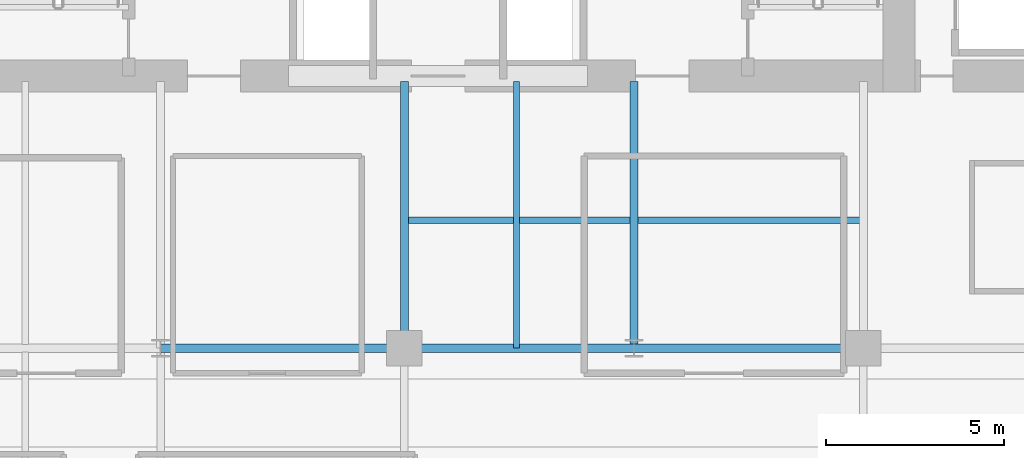
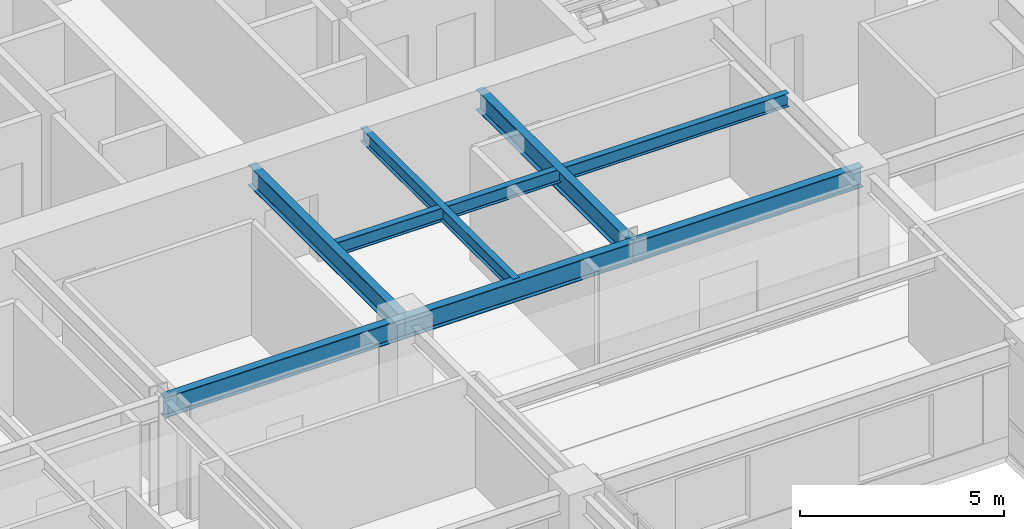
# One storey, part 13 of 37: 7 beams.
"""IFC4 building model written with IfcOpenShell, lengths in metres."""

from ifc_helpers import new_model, si_unit, direction, frame, origin, origin_2d, place, context, subcontext, project, spatial, i_section, extrude, source, transform, mapped, material, material_profile, profile_set, type_object, type_shapes, element, save


model = new_model("IFC4")

# Units and contexts
model_context = context("Model", 3, precision=1e-05, world=origin(), true_north=direction((0.0, 1.0)))
body_context = subcontext(model_context, "Body", "Model", "MODEL_VIEW")
ifc_project = project(units=[si_unit("LENGTHUNIT", "METRE"), si_unit("AREAUNIT", "SQUARE_METRE"), si_unit("VOLUMEUNIT", "CUBIC_METRE"), si_unit("PLANEANGLEUNIT", "RADIAN"), si_unit("MASSUNIT", "GRAM", prefix="KILO")], contexts=[model_context])

# Site, building, storey
site_placement = place(None, origin())
site = spatial("IfcSite", under=ifc_project, at=site_placement, CompositionType="ELEMENT")
building_placement = place(site_placement, origin())
building = spatial("IfcBuilding", under=site, at=building_placement, Name="Tolvann Quenvar Hotel", CompositionType="ELEMENT")
storey_placement = place(building_placement, frame((0.0, 0.0, 53.300048828125)))
storey = spatial("IfcBuildingStorey", under=building, at=storey_placement, Name="L12", CompositionType="ELEMENT", Elevation=53.300048828125)

# Beams
ifc_material = material(Name="Steel Grade 350", Category="steel")
ifc_material_profile_1 = material_profile(ifc_material, i_section(OverallWidth=0.22900390625, OverallDepth=0.612060546875, WebThickness=0.011962890625, FlangeThickness=0.01953125, FilletRadius=0.013916015625, at=origin_2d()), Name="610UB125")
ifc_profile_set_1 = profile_set([ifc_material_profile_1], Name="Steel Grade 350")
beam_type_1 = type_object("IfcBeamType", Name="BM_GIRD_610UB125", PredefinedType="BEAM", material=ifc_profile_set_1)
shared_shape_1 = source(origin(), body_context, "Body", "SweptSolid", [
    extrude(i_section(OverallWidth=0.22900390625, OverallDepth=0.612060546875, WebThickness=0.011962890625, FlangeThickness=0.01953125, FilletRadius=0.013916015625, at=origin_2d()), origin(), (0.0, 0.0, 1.0), 6.85009765625),
])
beam_1_placement = place(storey_placement, frame((15.199951171875, 24.39990234375, 3.06396484375), z_axis=(1.0, 0.0, 0.0), x_axis=(0.0, 1.0, 0.0)))
element("IfcBeam", 1, at=beam_1_placement, inside=storey, type_object=beam_type_1, Name="BM-L12-EW-5-D5-E5", PredefinedType="BEAM", context=body_context, shape_type="MappedRepresentation", body=[
    mapped(shared_shape_1, transform((0.0, 0.0, 0.0), x_axis=(1.0, 0.0, 0.0), y_axis=(0.0, 1.0, 0.0), z_axis=(0.0, 0.0, 1.0), scale=1.0)),
])
shared_shape_2 = source(origin(), body_context, "Body", "SweptSolid", [
    extrude(i_section(OverallWidth=0.22900390625, OverallDepth=0.612060546875, WebThickness=0.011962890625, FlangeThickness=0.01953125, FilletRadius=0.013916015625, at=origin_2d()), origin(), (0.0, 0.0, 1.0), 6.449951171875),
])
for number, where, z_axis, x_axis, name in (
    (2, (22.050048828125, 24.39990234375, 3.06396484375), (1.0, 0.0, 0.0), (0.0, 1.0, 0.0), "BM-L12-EW-5-E5-M5"),
    (3, (28.5, 24.39990234375, 3.06396484375), (1.0, 0.0, 0.0), (0.0, 1.0, 0.0), "BM-L12-EW-5-M5-F5"),
):
    element("IfcBeam", number, at=place(storey_placement, frame(where, z_axis=z_axis, x_axis=x_axis)), inside=storey, type_object=beam_type_1, Name=name, PredefinedType="BEAM", context=body_context, shape_type="MappedRepresentation", body=[
        mapped(shared_shape_2, transform((0.0, 0.0, 0.0), x_axis=(1.0, 0.0, 0.0), y_axis=(0.0, 1.0, 0.0), z_axis=(0.0, 0.0, 1.0), scale=1.0)),
    ])
shared_shape_3 = source(origin(), body_context, "Body", "SweptSolid", [
    extrude(i_section(OverallWidth=0.22900390625, OverallDepth=0.612060546875, WebThickness=0.011962890625, FlangeThickness=0.01953125, FilletRadius=0.013916015625, at=origin_2d()), origin(), (0.0, 0.0, 1.0), 7.5),
])
type_shapes(beam_type_1, [shared_shape_1, shared_shape_2, shared_shape_3])
for number, where, z_axis, x_axis, name in (
    (4, (22.050048828125, 24.39990234375, 3.06396484375), (0.0, 1.0, 0.0), (-1.0, 0.0, 0.0), "BM-L12-CORE-E5"),
    (5, (28.5, 24.39990234375, 3.06396484375), (0.0, 1.0, 0.0), (-1.0, 0.0, 0.0), "BM-L12-CORE-M5"),
):
    element("IfcBeam", number, at=place(storey_placement, frame(where, z_axis=z_axis, x_axis=x_axis)), inside=storey, type_object=beam_type_1, Name=name, PredefinedType="BEAM", context=body_context, shape_type="MappedRepresentation", body=[
        mapped(shared_shape_3, transform((0.0, 0.0, 0.0), x_axis=(1.0, 0.0, 0.0), y_axis=(0.0, 1.0, 0.0), z_axis=(0.0, 0.0, 1.0), scale=1.0)),
    ])
ifc_material_profile_2 = material_profile(ifc_material, i_section(OverallWidth=0.177978515625, OverallDepth=0.406005859375, WebThickness=0.0078125, FlangeThickness=0.0126953125, FilletRadius=0.011474609375, at=origin_2d()), Name="410UB60")
ifc_profile_set_2 = profile_set([ifc_material_profile_2], Name="Steel Grade 350")
beam_type_2 = type_object("IfcBeamType", Name="BM_JOIST_410UB60", PredefinedType="JOIST", material=ifc_profile_set_2)
shared_shape_4 = source(origin(), body_context, "Body", "SweptSolid", [
    extrude(i_section(OverallWidth=0.177978515625, OverallDepth=0.406005859375, WebThickness=0.0078125, FlangeThickness=0.0126953125, FilletRadius=0.011474609375, at=origin_2d()), origin(), (0.0, 0.0, 1.0), 12.89990234375),
])
beam_2_placement = place(storey_placement, frame((22.050048828125, 28.0, 3.1669921875), z_axis=(1.0, 0.0, 0.0), x_axis=(0.0, 1.0, 0.0)))
element("IfcBeam", 6, at=beam_2_placement, inside=storey, type_object=beam_type_2, Name="BM-L12-SPINE-28", PredefinedType="JOIST", context=body_context, shape_type="MappedRepresentation", body=[
    mapped(shared_shape_4, transform((0.0, 0.0, 0.0), x_axis=(1.0, 0.0, 0.0), y_axis=(0.0, 1.0, 0.0), z_axis=(0.0, 0.0, 1.0), scale=1.0)),
])
shared_shape_5 = source(origin(), body_context, "Body", "SweptSolid", [
    extrude(i_section(OverallWidth=0.177978515625, OverallDepth=0.406005859375, WebThickness=0.0078125, FlangeThickness=0.0126953125, FilletRadius=0.011474609375, at=origin_2d()), origin(), (0.0, 0.0, 1.0), 7.5),
])
type_shapes(beam_type_2, [shared_shape_4, shared_shape_5])
beam_3_placement = place(storey_placement, frame((25.199951171875, 24.39990234375, 3.1669921875), z_axis=(0.0, 1.0, 0.0), x_axis=(-1.0, 0.0, 0.0)))
element("IfcBeam", 7, at=beam_3_placement, inside=storey, type_object=beam_type_2, Name="BJ-L12-252-244", PredefinedType="JOIST", context=body_context, shape_type="MappedRepresentation", body=[
    mapped(shared_shape_5, transform((0.0, 0.0, 0.0), x_axis=(1.0, 0.0, 0.0), y_axis=(0.0, 1.0, 0.0), z_axis=(0.0, 0.0, 1.0), scale=1.0)),
])

save(model, "model.ifc")
